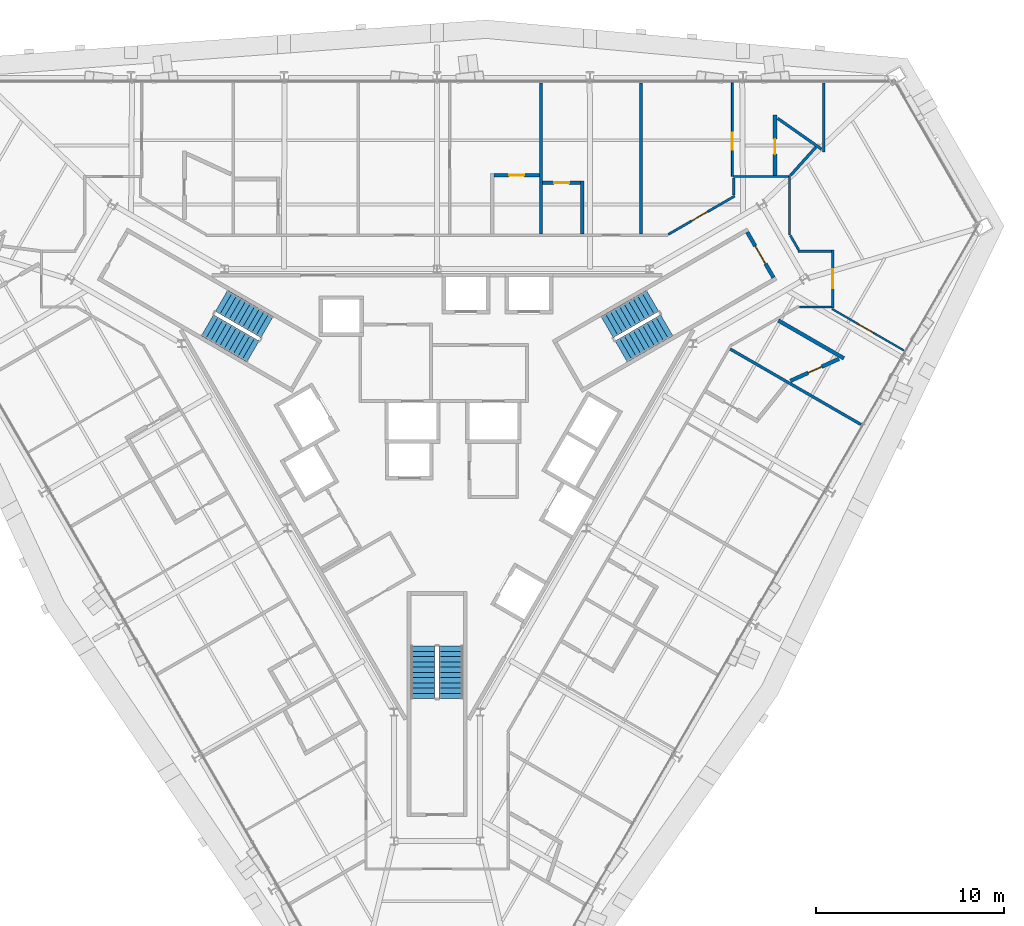
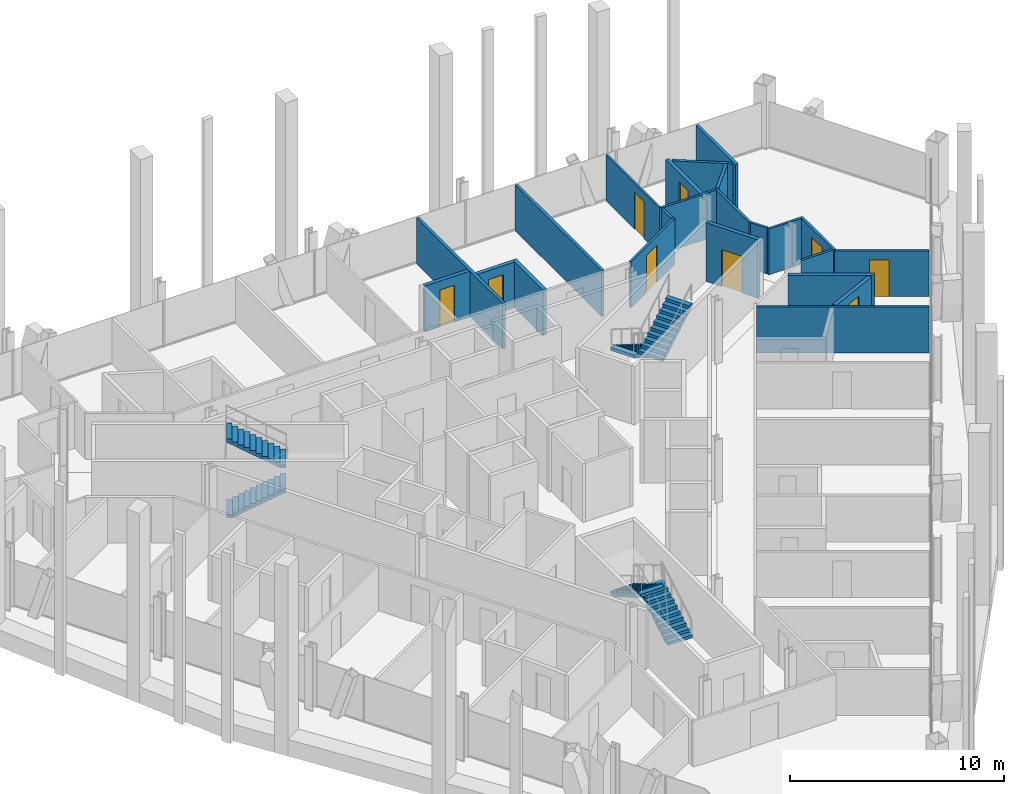
# One storey, part 17 of 19: 23 walls, 9 doors, 6 stair flights, 9 openings, 3 elements without a shape of their own.
"""IFC4 building model written with IfcOpenShell, lengths in metres."""

from ifc_helpers import new_model, si_unit, direction, frame, frame_2d, origin, place, context, subcontext, project, spatial, polyline, rectangle, outline, extrude, material, layer, layer_set, type_object, element, fill, aggregate, save


model = new_model("IFC4")

# Units and contexts
model_context = context("Model", 3, precision=1e-05, world=origin(), true_north=direction((0.0, 1.0)))
body_context = subcontext(model_context, "Body", "Model", "MODEL_VIEW")
ifc_project = project(units=[si_unit("LENGTHUNIT", "METRE"), si_unit("AREAUNIT", "SQUARE_METRE"), si_unit("VOLUMEUNIT", "CUBIC_METRE"), si_unit("PLANEANGLEUNIT", "RADIAN"), si_unit("MASSUNIT", "GRAM", prefix="KILO")], contexts=[model_context])

# Site, building, storey
site_placement = place(None, origin())
site = spatial("IfcSite", under=ifc_project, at=site_placement, CompositionType="ELEMENT")
building_placement = place(site_placement, origin())
building = spatial("IfcBuilding", under=site, at=building_placement, Name="Verrane Prism Tower", CompositionType="ELEMENT")
storey_placement = place(building_placement, frame((0.0, 0.0, 121.60009765625)))
storey = spatial("IfcBuildingStorey", under=building, at=storey_placement, Name="L29", CompositionType="ELEMENT", Elevation=121.60009765625)

# Wall, opening, door
ifc_material_1 = material(Name="Concrete C40/50", Category="concrete")
ifc_layer_1 = layer(ifc_material_1, 0.199951171875)
ifc_layer_set_1 = layer_set([ifc_layer_1], Name="CW-200 stair core wall concrete C40/50 3 h")
wall_type_1 = type_object("IfcWallType", Name="CW-200 stair core wall concrete C40/50 3 h", PredefinedType="PARTITIONING", material=ifc_layer_set_1)
wall_1_placement = place(storey_placement, frame((17.933837890625, 8.737548828125, 0.0), z_axis=(0.0, 0.0, 1.0), x_axis=(-0.49998411664, 0.866034573852, 0.0)))
wall_1 = element("IfcWall", 1, at=wall_1_placement, inside=storey, type_object=wall_type_1, Name="Stair 1 enclosure wall", PredefinedType="PARTITIONING", context=body_context, shape_type="SweptSolid", body=[
    extrude(rectangle(XDim=2.7998046875, YDim=0.199951171875, at=frame_2d((1.39990234375, 0.0))), origin(), (0.0, 0.0, 1.0), 3.349853515625),
])
opening_1_placement = place(wall_1_placement, frame((0.849853515625, 0.0, 0.0)))
opening_1 = element("IfcOpeningElement", 2, at=opening_1_placement, cuts=wall_1, Name="Opening D29500", PredefinedType="OPENING", context=body_context, shape_type="SweptSolid", body=[
    extrude(rectangle(XDim=1.10009765625, YDim=2.10009765625, at=frame_2d((0.550048828125, 1.050048828125))), frame((0.0, 0.10986328125, 0.0), z_axis=(0.0, -1.0, 0.0), x_axis=(1.0, 0.0, 0.0)), (0.0, 0.0, 1.0), 0.219970703125),
])
ifc_material_2 = material(Name="Timber veneered door leaf", Category="wood")
door_type_1 = type_object("IfcDoorType", Name="DR-1100x2100 FD90 single leaf stair", OperationType="NOTDEFINED", PredefinedType="DOOR", material=ifc_material_2)
door_1_placement = place(opening_1_placement, origin())
door_1 = element("IfcDoor", 3, at=door_1_placement, inside=storey, type_object=door_type_1, Name="Stair 1 door", OperationType="SINGLE_SWING_LEFT", OverallHeight=2.10009765625, OverallWidth=1.10009765625, PredefinedType="DOOR", context=body_context, shape_type="SweptSolid", body=[
    extrude(rectangle(XDim=1.10009765625, YDim=2.10009765625, at=frame_2d((0.550048828125, 1.050048828125))), frame((0.0, 0.02490234375, 0.0), z_axis=(0.0, -1.0, 0.0), x_axis=(1.0, 0.0, 0.0)), (0.0, 0.0, 1.0), 0.050048828125),
])
fill(opening_1, door_1)

ifc_material_3 = material(Name="Gypsum board partition", Category="other")
ifc_layer_2 = layer(ifc_material_3, 0.10009765625)
ifc_layer_set_2 = layer_set([ifc_layer_2], Name="PW-100 room partition")
wall_type_2 = type_object("IfcWallType", Name="PW-100 room partition", PredefinedType="PARTITIONING", material=ifc_layer_set_2)
wall_2_placement = place(storey_placement, frame((15.740966796875, 19.114990234375, 0.0), z_axis=(0.0, 0.0, 1.0), x_axis=(0.0, -1.0, 0.0)))
wall_2 = element("IfcWall", 4, at=wall_2_placement, inside=storey, type_object=wall_type_2, Name="Room partition 066", PredefinedType="PARTITIONING", context=body_context, shape_type="SweptSolid", body=[
    extrude(rectangle(XDim=4.98486328125, YDim=0.10009765625, at=frame_2d((2.492431640625, 0.0))), origin(), (0.0, 0.0, 1.0), 2.61279296875),
])
opening_2_placement = place(wall_2_placement, frame((2.65087890625, 0.0, 0.0)))
opening_2 = element("IfcOpeningElement", 5, at=opening_2_placement, cuts=wall_2, Name="Opening D29002", PredefinedType="OPENING", context=body_context, shape_type="SweptSolid", body=[
    extrude(rectangle(XDim=0.89990234375, YDim=2.10009765625, at=frame_2d((0.449951171875, 1.050048828125))), frame((0.0, 0.06005859375, 0.0), z_axis=(0.0, -1.0, 0.0), x_axis=(1.0, 0.0, 0.0)), (0.0, 0.0, 1.0), 0.1201171875),
])
ifc_material_4 = material(Name="Timber veneered door leaf", Category="wood")
door_type_2 = type_object("IfcDoorType", Name="DR-900x2100 single leaf inner", OperationType="NOTDEFINED", PredefinedType="DOOR", material=ifc_material_4)
door_2_placement = place(opening_2_placement, origin())
door_2 = element("IfcDoor", 6, at=door_2_placement, inside=storey, type_object=door_type_2, Name="Suite Living Room door", OperationType="SINGLE_SWING_LEFT", OverallHeight=2.10009765625, OverallWidth=0.89990234375, PredefinedType="DOOR", context=body_context, shape_type="SweptSolid", body=[
    extrude(rectangle(XDim=0.89990234375, YDim=2.10009765625, at=frame_2d((0.449951171875, 1.050048828125))), frame((0.0, 0.02490234375, 0.0), z_axis=(0.0, -1.0, 0.0), x_axis=(1.0, 0.0, 0.0)), (0.0, 0.0, 1.0), 0.050048828125),
])
fill(opening_2, door_2)

wall_3_placement = place(storey_placement, frame((24.8779296875, 4.85986328125, 0.0), z_axis=(0.0, 0.0, 1.0), x_axis=(-0.866005058873, 0.500035236765, 0.0)))
wall_3 = element("IfcWall", 7, at=wall_3_placement, inside=storey, type_object=wall_type_2, Name="Room partition 080", PredefinedType="PARTITIONING", context=body_context, shape_type="SweptSolid", body=[
    extrude(rectangle(XDim=4.414306640625, YDim=0.10009765625, at=frame_2d((2.20703125, 0.0))), origin(), (0.0, 0.0, 1.0), 2.61279296875),
])
opening_3_placement = place(wall_3_placement, frame((1.875732421875, 0.0, 0.0)))
opening_3 = element("IfcOpeningElement", 8, at=opening_3_placement, cuts=wall_3, Name="Opening D29039", PredefinedType="OPENING", context=body_context, shape_type="SweptSolid", body=[
    extrude(rectangle(XDim=0.89990234375, YDim=2.10009765625, at=frame_2d((0.449951171875, 1.050048828125))), frame((0.0, 0.06005859375, 0.0), z_axis=(0.0, -1.0, 0.0), x_axis=(1.0, 0.0, 0.0)), (0.0, 0.0, 1.0), 0.1201171875),
])
door_3_placement = place(opening_3_placement, origin())
door_3 = element("IfcDoor", 9, at=door_3_placement, inside=storey, type_object=door_type_2, Name="Suite Living Room door", OperationType="SINGLE_SWING_RIGHT", OverallHeight=2.10009765625, OverallWidth=0.89990234375, PredefinedType="DOOR", context=body_context, shape_type="SweptSolid", body=[
    extrude(rectangle(XDim=0.89990234375, YDim=2.10009765625, at=frame_2d((0.449951171875, 1.050048828125))), frame((0.0, 0.02490234375, 0.0), z_axis=(0.0, -1.0, 0.0), x_axis=(1.0, 0.0, 0.0)), (0.0, 0.0, 1.0), 0.050048828125),
])
fill(opening_3, door_3)

ifc_material_5 = material(Name="Gypsum board partition", Category="other")
ifc_layer_3 = layer(ifc_material_5, 0.125)
ifc_layer_set_3 = layer_set([ifc_layer_3], Name="PW-125 corridor wall 1 h")
wall_type_3 = type_object("IfcWallType", Name="PW-125 corridor wall 1 h", PredefinedType="PARTITIONING", material=ifc_layer_set_3)
wall_4_placement = place(storey_placement, frame((12.32666015625, 11.04248046875, 0.0), z_axis=(0.0, 0.0, 1.0), x_axis=(0.866070231021, 0.499922348909, 0.0)))
wall_4 = element("IfcWall", 10, at=wall_4_placement, inside=storey, type_object=wall_type_3, Name="Corridor wall 061", PredefinedType="PARTITIONING", context=body_context, shape_type="SweptSolid", body=[
    extrude(rectangle(XDim=4.088134765625, YDim=0.125, at=frame_2d((2.0439453125, 0.0))), origin(), (0.0, 0.0, 1.0), 2.61279296875),
])
opening_4_placement = place(wall_4_placement, frame((1.4150390625, 0.0, 0.0)))
opening_4 = element("IfcOpeningElement", 11, at=opening_4_placement, cuts=wall_4, Name="Opening D29001", PredefinedType="OPENING", context=body_context, shape_type="SweptSolid", body=[
    extrude(rectangle(XDim=1.0, YDim=2.10009765625, at=frame_2d((0.5, 1.050048828125))), frame((0.0, 0.072509765625, 0.0), z_axis=(0.0, -1.0, 0.0), x_axis=(1.0, 0.0, 0.0)), (0.0, 0.0, 1.0), 0.14501953125),
])
ifc_material_6 = material(Name="Timber veneered door leaf", Category="wood")
door_type_3 = type_object("IfcDoorType", Name="DR-1000x2100 FD20 single leaf unit", OperationType="NOTDEFINED", PredefinedType="DOOR", material=ifc_material_6)
door_4_placement = place(opening_4_placement, origin())
door_4 = element("IfcDoor", 12, at=door_4_placement, inside=storey, type_object=door_type_3, Name="Suite Living Room door", OperationType="SINGLE_SWING_LEFT", OverallHeight=2.10009765625, OverallWidth=1.0, PredefinedType="DOOR", context=body_context, shape_type="SweptSolid", body=[
    extrude(rectangle(XDim=1.0, YDim=2.10009765625, at=frame_2d((0.5, 1.050048828125))), frame((0.0, 0.02490234375, 0.0), z_axis=(0.0, -1.0, 0.0), x_axis=(1.0, 0.0, 0.0)), (0.0, 0.0, 1.0), 0.050048828125),
])
fill(opening_4, door_4)

# Walls
wall_5_placement = place(storey_placement, frame((15.81298828125, 13.139892578125, 0.0), z_axis=(0.0, 0.0, 1.0), x_axis=(0.0, 1.0, 0.0)))
element("IfcWall", 13, at=wall_5_placement, inside=storey, type_object=wall_type_3, Name="Corridor wall 067", PredefinedType="PARTITIONING", context=body_context, shape_type="SweptSolid", body=[
    extrude(rectangle(XDim=0.922119140625, YDim=0.125, at=frame_2d((0.4609375, 0.0))), origin(), (0.0, 0.0, 1.0), 2.61279296875),
])
wall_6_placement = place(storey_placement, frame((15.79541015625, 14.126953125, 0.0), z_axis=(0.0, 0.0, 1.0), x_axis=(1.0, 0.0, 0.0)))
element("IfcWall", 14, at=wall_6_placement, inside=storey, type_object=wall_type_3, Name="Corridor wall 068", PredefinedType="PARTITIONING", context=body_context, shape_type="SweptSolid", body=[
    extrude(rectangle(XDim=2.926513671875, YDim=0.125, at=frame_2d((1.46337890625, 0.0))), origin(), (0.0, 0.0, 1.0), 2.61279296875),
])
wall_7_placement = place(storey_placement, frame((18.787109375, 10.99755859375, 0.0), z_axis=(0.0, 0.0, 1.0), x_axis=(0.0, 1.0, 0.0)))
element("IfcWall", 15, at=wall_7_placement, inside=storey, type_object=wall_type_3, Name="Corridor wall 074", PredefinedType="PARTITIONING", context=body_context, shape_type="SweptSolid", body=[
    extrude(rectangle(XDim=3.19189453125, YDim=0.125, at=frame_2d((1.595947265625, 0.0))), origin(), (0.0, 0.0, 1.0), 2.61279296875),
])
wall_8_placement = place(storey_placement, frame((18.82958984375, 10.986328125, 0.0), z_axis=(0.0, 0.0, 1.0), x_axis=(0.499881837328, -0.866093614288, 0.0)))
element("IfcWall", 16, at=wall_8_placement, inside=storey, type_object=wall_type_3, Name="Corridor wall 075", PredefinedType="PARTITIONING", context=body_context, shape_type="SweptSolid", body=[
    extrude(rectangle(XDim=0.884033203125, YDim=0.125, at=frame_2d((0.44189453125, 0.0))), origin(), (0.0, 0.0, 1.0), 2.61279296875),
])
wall_9_placement = place(storey_placement, frame((19.30908203125, 7.173095703125, 0.0), z_axis=(0.0, 0.0, 1.0), x_axis=(1.0, 0.0, 0.0)))
element("IfcWall", 17, at=wall_9_placement, inside=storey, type_object=wall_type_3, Name="Corridor wall 077", PredefinedType="PARTITIONING", context=body_context, shape_type="SweptSolid", body=[
    extrude(rectangle(XDim=1.712890625, YDim=0.125, at=frame_2d((0.8564453125, 0.0))), origin(), (0.0, 0.0, 1.0), 2.61279296875),
])
wall_10_placement = place(storey_placement, frame((19.25146484375, 10.14697265625, 0.0), z_axis=(0.0, 0.0, 1.0), x_axis=(1.0, 0.0, 0.0)))
element("IfcWall", 18, at=wall_10_placement, inside=storey, type_object=wall_type_3, Name="Corridor wall 078", PredefinedType="PARTITIONING", context=body_context, shape_type="SweptSolid", body=[
    extrude(rectangle(XDim=1.7705078125, YDim=0.125, at=frame_2d((0.88525390625, 0.0))), origin(), (0.0, 0.0, 1.0), 2.61279296875),
])

# Wall, opening, door
wall_11_placement = place(storey_placement, frame((21.0869140625, 10.20947265625, 0.0), z_axis=(0.0, 0.0, 1.0), x_axis=(0.0, -1.0, 0.0)))
wall_11 = element("IfcWall", 19, at=wall_11_placement, inside=storey, type_object=wall_type_3, Name="Corridor wall 081", PredefinedType="PARTITIONING", context=body_context, shape_type="SweptSolid", body=[
    extrude(rectangle(XDim=3.098876953125, YDim=0.125, at=frame_2d((1.54931640625, 0.0))), origin(), (0.0, 0.0, 1.0), 2.61279296875),
])
opening_5_placement = place(wall_11_placement, frame((1.03662109375, 0.0, 0.0)))
opening_5 = element("IfcOpeningElement", 20, at=opening_5_placement, cuts=wall_11, Name="Opening D29038", PredefinedType="OPENING", context=body_context, shape_type="SweptSolid", body=[
    extrude(rectangle(XDim=1.0, YDim=2.10009765625, at=frame_2d((0.5, 1.050048828125))), frame((0.0, 0.072509765625, 0.0), z_axis=(0.0, -1.0, 0.0), x_axis=(1.0, 0.0, 0.0)), (0.0, 0.0, 1.0), 0.14501953125),
])
door_5_placement = place(opening_5_placement, origin())
door_5 = element("IfcDoor", 21, at=door_5_placement, inside=storey, type_object=door_type_3, Name="Suite Living Room door", OperationType="SINGLE_SWING_LEFT", OverallHeight=2.10009765625, OverallWidth=1.0, PredefinedType="DOOR", context=body_context, shape_type="SweptSolid", body=[
    extrude(rectangle(XDim=1.0, YDim=2.10009765625, at=frame_2d((0.5, 1.050048828125))), frame((0.0, 0.02490234375, 0.0), z_axis=(0.0, -1.0, 0.0), x_axis=(1.0, 0.0, 0.0)), (0.0, 0.0, 1.0), 0.050048828125),
])
fill(opening_5, door_5)

# Walls
ifc_material_7 = material(Name="Gypsum board partition", Category="other")
ifc_layer_4 = layer(ifc_material_7, 0.14990234375)
ifc_layer_set_4 = layer_set([ifc_layer_4], Name="PW-150 demising wall 1 h")
wall_type_4 = type_object("IfcWallType", Name="PW-150 demising wall 1 h", PredefinedType="PARTITIONING", material=ifc_layer_set_4)
for number, where, z_axis, x_axis, name in (
    (22, (5.5380859375, 11.0625, 0.0), (0.0, 0.0, 1.0), (0.0, 1.0, 0.0), "Demising wall 049"),
    (23, (10.8701171875, 11.0625, 0.0), (0.0, 0.0, 1.0), (0.0, 1.0, 0.0), "Demising wall 059"),
):
    element("IfcWall", number, at=place(storey_placement, frame(where, z_axis=z_axis, x_axis=x_axis)), inside=storey, type_object=wall_type_4, Name=name, PredefinedType="PARTITIONING", context=body_context, shape_type="SweptSolid", body=[
        extrude(rectangle(XDim=8.052490234375, YDim=0.14990234375, at=frame_2d((4.0263671875, 0.0))), origin(), (0.0, 0.0, 1.0), 2.61279296875),
    ])
wall_12_placement = place(storey_placement, frame((15.62646484375, 4.93115234375, 0.0), z_axis=(0.0, 0.0, 1.0), x_axis=(0.866059795523, -0.49994042703, 0.0)))
element("IfcWall", 24, at=wall_12_placement, inside=storey, type_object=wall_type_4, Name="Demising wall 064", PredefinedType="PARTITIONING", context=body_context, shape_type="SweptSolid", body=[
    extrude(rectangle(XDim=8.04736328125, YDim=0.14990234375, at=frame_2d((4.023681640625, 0.0))), origin(), (0.0, 0.0, 1.0), 2.61279296875),
])
wall_13_placement = place(storey_placement, frame((18.1552734375, 17.2265625, 0.0), z_axis=(0.0, 0.0, 1.0), x_axis=(0.818464329231, -0.574557344202, 0.0)))
element("IfcWall", 25, at=wall_13_placement, inside=storey, type_object=wall_type_4, Name="Demising wall 071", PredefinedType="PARTITIONING", context=body_context, shape_type="SweptSolid", body=[
    extrude(rectangle(XDim=2.856689453125, YDim=0.14990234375, at=frame_2d((1.42822265625, 0.0))), origin(), (0.0, 0.0, 1.0), 2.61279296875),
])
wall_14_placement = place(storey_placement, frame((18.845458984375, 14.192138671875, 0.0), z_axis=(0.0, 0.0, 1.0), x_axis=(0.66770692524, 0.744424248655, 0.0)))
element("IfcWall", 26, at=wall_14_placement, inside=storey, type_object=wall_type_4, Name="Demising wall 076", PredefinedType="PARTITIONING", context=body_context, shape_type="SweptSolid", body=[
    extrude(rectangle(XDim=2.017578125, YDim=0.14990234375, at=frame_2d((1.0087890625, 0.0))), origin(), (0.0, 0.0, 1.0), 2.61279296875),
])
wall_15_placement = place(storey_placement, frame((20.612060546875, 15.427001953125, 0.0), z_axis=(0.0, 0.0, 1.0), x_axis=(0.0, 1.0, 0.0)))
element("IfcWall", 27, at=wall_15_placement, inside=storey, type_object=wall_type_4, Name="Demising wall 079", PredefinedType="PARTITIONING", context=body_context, shape_type="SweptSolid", body=[
    extrude(rectangle(XDim=3.68798828125, YDim=0.14990234375, at=frame_2d((1.843994140625, 0.0))), origin(), (0.0, 0.0, 1.0), 2.61279296875),
])

# Wall, opening, door
ifc_material_8 = material(Name="Gypsum board partition", Category="other")
ifc_layer_5 = layer(ifc_material_8, 0.199951171875)
ifc_layer_set_5 = layer_set([ifc_layer_5], Name="PW-200 plumbing wall")
wall_type_5 = type_object("IfcWallType", Name="PW-200 plumbing wall", PredefinedType="PARTITIONING", material=ifc_layer_set_5)
wall_16_placement = place(storey_placement, frame((5.462890625, 14.199951171875, 0.0), z_axis=(0.0, 0.0, 1.0), x_axis=(-1.0, 0.0, 0.0)))
wall_16 = element("IfcWall", 28, at=wall_16_placement, inside=storey, type_object=wall_type_5, Name="Plumbing wall 043", PredefinedType="PARTITIONING", context=body_context, shape_type="SweptSolid", body=[
    extrude(rectangle(XDim=2.4248046875, YDim=0.199951171875, at=frame_2d((1.21240234375, 0.0))), origin(), (0.0, 0.0, 1.0), 2.61279296875),
])
opening_6_placement = place(wall_16_placement, frame((0.824951171875, 0.0, 0.0)))
opening_6 = element("IfcOpeningElement", 29, at=opening_6_placement, cuts=wall_16, Name="Opening D29008", PredefinedType="OPENING", context=body_context, shape_type="SweptSolid", body=[
    extrude(rectangle(XDim=0.800048828125, YDim=2.10009765625, at=frame_2d((0.39990234375, 1.050048828125))), frame((0.0, 0.10986328125, 0.0), z_axis=(0.0, -1.0, 0.0), x_axis=(1.0, 0.0, 0.0)), (0.0, 0.0, 1.0), 0.219970703125),
])
ifc_material_9 = material(Name="Timber veneered door leaf", Category="wood")
door_type_4 = type_object("IfcDoorType", Name="DR-800x2100 single leaf bath", OperationType="NOTDEFINED", PredefinedType="DOOR", material=ifc_material_9)
door_6_placement = place(opening_6_placement, origin())
door_6 = element("IfcDoor", 30, at=door_6_placement, inside=storey, type_object=door_type_4, Name="En-Suite door", OperationType="SINGLE_SWING_LEFT", OverallHeight=2.10009765625, OverallWidth=0.800048828125, PredefinedType="DOOR", context=body_context, shape_type="SweptSolid", body=[
    extrude(rectangle(XDim=0.800048828125, YDim=2.10009765625, at=frame_2d((0.39990234375, 1.050048828125))), frame((0.0, 0.02490234375, 0.0), z_axis=(0.0, -1.0, 0.0), x_axis=(1.0, 0.0, 0.0)), (0.0, 0.0, 1.0), 0.050048828125),
])
fill(opening_6, door_6)

wall_17_placement = place(storey_placement, frame((7.637939453125, 13.800048828125, 0.0), z_axis=(0.0, 0.0, 1.0), x_axis=(-1.0, 0.0, 0.0)))
wall_17 = element("IfcWall", 31, at=wall_17_placement, inside=storey, type_object=wall_type_5, Name="Plumbing wall 050", PredefinedType="PARTITIONING", context=body_context, shape_type="SweptSolid", body=[
    extrude(rectangle(XDim=2.02490234375, YDim=0.199951171875, at=frame_2d((1.012451171875, 0.0))), origin(), (0.0, 0.0, 1.0), 2.61279296875),
])
opening_7_placement = place(wall_17_placement, frame((0.60009765625, 0.0, 0.0)))
opening_7 = element("IfcOpeningElement", 32, at=opening_7_placement, cuts=wall_17, Name="Opening D29005", PredefinedType="OPENING", context=body_context, shape_type="SweptSolid", body=[
    extrude(rectangle(XDim=0.800048828125, YDim=2.10009765625, at=frame_2d((0.39990234375, 1.050048828125))), frame((0.0, 0.10986328125, 0.0), z_axis=(0.0, -1.0, 0.0), x_axis=(1.0, 0.0, 0.0)), (0.0, 0.0, 1.0), 0.219970703125),
])
door_7_placement = place(opening_7_placement, origin())
door_7 = element("IfcDoor", 33, at=door_7_placement, inside=storey, type_object=door_type_4, Name="En-Suite door", OperationType="SINGLE_SWING_RIGHT", OverallHeight=2.10009765625, OverallWidth=0.800048828125, PredefinedType="DOOR", context=body_context, shape_type="SweptSolid", body=[
    extrude(rectangle(XDim=0.800048828125, YDim=2.10009765625, at=frame_2d((0.39990234375, 1.050048828125))), frame((0.0, 0.02490234375, 0.0), z_axis=(0.0, -1.0, 0.0), x_axis=(1.0, 0.0, 0.0)), (0.0, 0.0, 1.0), 0.050048828125),
])
fill(opening_7, door_7)

# Wall
wall_18_placement = place(storey_placement, frame((7.738037109375, 11.0625, 0.0), z_axis=(0.0, 0.0, 1.0), x_axis=(0.0, 1.0, 0.0)))
element("IfcWall", 34, at=wall_18_placement, inside=storey, type_object=wall_type_5, Name="Plumbing wall 054", PredefinedType="PARTITIONING", context=body_context, shape_type="SweptSolid", body=[
    extrude(rectangle(XDim=2.83740234375, YDim=0.199951171875, at=frame_2d((1.418701171875, 0.0))), origin(), (0.0, 0.0, 1.0), 2.61279296875),
])

# Wall, opening, door
wall_19_placement = place(storey_placement, frame((18.011962890625, 17.402099609375, 0.0), z_axis=(0.0, 0.0, 1.0), x_axis=(0.0, -1.0, 0.0)))
wall_19 = element("IfcWall", 35, at=wall_19_placement, inside=storey, type_object=wall_type_5, Name="Plumbing wall 070", PredefinedType="PARTITIONING", context=body_context, shape_type="SweptSolid", body=[
    extrude(rectangle(XDim=3.212646484375, YDim=0.199951171875, at=frame_2d((1.6064453125, 0.0))), origin(), (0.0, 0.0, 1.0), 2.61279296875),
])
opening_8_placement = place(wall_19_placement, frame((1.27490234375, 0.0, 0.0)))
opening_8 = element("IfcOpeningElement", 36, at=opening_8_placement, cuts=wall_19, Name="Opening D29003", PredefinedType="OPENING", context=body_context, shape_type="SweptSolid", body=[
    extrude(rectangle(XDim=0.800048828125, YDim=2.10009765625, at=frame_2d((0.39990234375, 1.050048828125))), frame((0.0, 0.10986328125, 0.0), z_axis=(0.0, -1.0, 0.0), x_axis=(1.0, 0.0, 0.0)), (0.0, 0.0, 1.0), 0.219970703125),
])
door_8_placement = place(opening_8_placement, origin())
door_8 = element("IfcDoor", 37, at=door_8_placement, inside=storey, type_object=door_type_4, Name="En-Suite door", OperationType="SINGLE_SWING_RIGHT", OverallHeight=2.10009765625, OverallWidth=0.800048828125, PredefinedType="DOOR", context=body_context, shape_type="SweptSolid", body=[
    extrude(rectangle(XDim=0.800048828125, YDim=2.10009765625, at=frame_2d((0.39990234375, 1.050048828125))), frame((0.0, 0.02490234375, 0.0), z_axis=(0.0, -1.0, 0.0), x_axis=(1.0, 0.0, 0.0)), (0.0, 0.0, 1.0), 0.050048828125),
])
fill(opening_8, door_8)

# Wall
wall_20_placement = place(storey_placement, frame((18.196533203125, 6.449951171875, 0.0), z_axis=(0.0, 0.0, 1.0), x_axis=(0.866031230052, -0.499989908473, 0.0)))
element("IfcWall", 38, at=wall_20_placement, inside=storey, type_object=wall_type_5, Name="Plumbing wall 072", PredefinedType="PARTITIONING", context=body_context, shape_type="SweptSolid", body=[
    extrude(rectangle(XDim=4.02978515625, YDim=0.199951171875, at=frame_2d((2.014892578125, 0.0))), origin(), (0.0, 0.0, 1.0), 2.61279296875),
])

# Wall, opening, door
wall_21_placement = place(storey_placement, frame((18.83349609375, 3.233642578125, 0.0), z_axis=(0.0, 0.0, 1.0), x_axis=(0.911141723421, 0.412093144618, 0.0)))
wall_21 = element("IfcWall", 39, at=wall_21_placement, inside=storey, type_object=wall_type_5, Name="Plumbing wall 073", PredefinedType="PARTITIONING", context=body_context, shape_type="SweptSolid", body=[
    extrude(rectangle(XDim=2.84130859375, YDim=0.199951171875, at=frame_2d((1.420654296875, 0.0))), origin(), (0.0, 0.0, 1.0), 2.61279296875),
])
opening_9_placement = place(wall_21_placement, frame((1.035888671875, 0.0, 0.0)))
opening_9 = element("IfcOpeningElement", 40, at=opening_9_placement, cuts=wall_21, Name="Opening D29040", PredefinedType="OPENING", context=body_context, shape_type="SweptSolid", body=[
    extrude(rectangle(XDim=0.800048828125, YDim=2.10009765625, at=frame_2d((0.39990234375, 1.050048828125))), frame((0.0, 0.10986328125, 0.0), z_axis=(0.0, -1.0, 0.0), x_axis=(1.0, 0.0, 0.0)), (0.0, 0.0, 1.0), 0.219970703125),
])
door_9_placement = place(opening_9_placement, origin())
door_9 = element("IfcDoor", 41, at=door_9_placement, inside=storey, type_object=door_type_4, Name="En-Suite door", OperationType="SINGLE_SWING_RIGHT", OverallHeight=2.10009765625, OverallWidth=0.800048828125, PredefinedType="DOOR", context=body_context, shape_type="SweptSolid", body=[
    extrude(rectangle(XDim=0.800048828125, YDim=2.10009765625, at=frame_2d((0.39990234375, 1.050048828125))), frame((0.0, 0.02490234375, 0.0), z_axis=(0.0, -1.0, 0.0), x_axis=(1.0, 0.0, 0.0)), (0.0, 0.0, 1.0), 0.050048828125),
])
fill(opening_9, door_9)

# Stair, stair flights
ifc_material_10 = material(Name="Concrete C40/50", Category="concrete")
stair_type = type_object("IfcStairType", Name="Exit stair 1300 dog-leg precast concrete C40/50", PredefinedType="HALF_TURN_STAIR", material=ifc_material_10)
stair_1_placement = place(storey_placement, origin())
stair_1 = element("IfcStair", 42, at=stair_1_placement, inside=storey, type_object=stair_type, Name="Stair 1 L29", PredefinedType="HALF_TURN_STAIR")
ifc_material_11 = material(Name="Concrete C40/50", Category="concrete")
stair_flight_type = type_object("IfcStairFlightType", Name="Stair flight 1300 precast concrete C40/50", PredefinedType="STRAIGHT", material=ifc_material_11)
stair_flight_1_placement = place(storey_placement, frame((11.489501953125, 7.49951171875, 0.0), z_axis=(0.0, 0.0, 1.0), x_axis=(-0.866025403784, -0.5, 0.0)))
stair_flight_1 = element("IfcStairFlight", 43, at=stair_flight_1_placement, type_object=stair_flight_type, Name="Stair 1 flight 1", NumberOfRisers=11, NumberOfTreads=10, PredefinedType="STRAIGHT", RiserHeight=0.163636364, TreadLength=0.28, context=body_context, shape_type="SweptSolid", body=[
    extrude(outline(polyline([(0.0, 0.0), (0.0, 0.16357421875), (0.280029296875, 0.16357421875), (0.280029296875, 0.327392578125), (0.56005859375, 0.327392578125), (0.56005859375, 0.490966796875), (0.840087890625, 0.490966796875), (0.840087890625, 0.654541015625), (1.1201171875, 0.654541015625), (1.1201171875, 0.818115234375), (1.39990234375, 0.818115234375), (1.39990234375, 0.98193359375), (1.679931640625, 0.98193359375), (1.679931640625, 1.1455078125), (1.9599609375, 1.1455078125), (1.9599609375, 1.30908203125), (2.239990234375, 1.30908203125), (2.239990234375, 1.47265625), (2.52001953125, 1.47265625), (2.52001953125, 1.636474609375), (2.800048828125, 1.636474609375), (2.800048828125, 1.800048828125), (2.800048828125, 1.462646484375), (0.297119140625, 0.0), (0.0, 0.0)])), frame((0.0, 0.64990234375, 0.0), z_axis=(0.0, -1.0, 0.0), x_axis=(1.0, 0.0, 0.0)), (0.0, 0.0, 1.0), 1.300048828125),
])
stair_flight_2_placement = place(storey_placement, frame((9.814697265625, 4.800537109375, 1.7998046875), z_axis=(0.0, 0.0, 1.0), x_axis=(0.866025403784, 0.5, 0.0)))
stair_flight_2 = element("IfcStairFlight", 44, at=stair_flight_2_placement, type_object=stair_flight_type, Name="Stair 1 flight 2", NumberOfRisers=11, NumberOfTreads=10, PredefinedType="STRAIGHT", RiserHeight=0.163636364, TreadLength=0.28, context=body_context, shape_type="SweptSolid", body=[
    extrude(outline(polyline([(0.0, 0.0), (0.0, 0.16357421875), (0.280029296875, 0.16357421875), (0.280029296875, 0.327392578125), (0.56005859375, 0.327392578125), (0.56005859375, 0.490966796875), (0.840087890625, 0.490966796875), (0.840087890625, 0.654541015625), (1.1201171875, 0.654541015625), (1.1201171875, 0.818115234375), (1.39990234375, 0.818115234375), (1.39990234375, 0.98193359375), (1.679931640625, 0.98193359375), (1.679931640625, 1.1455078125), (1.9599609375, 1.1455078125), (1.9599609375, 1.30908203125), (2.239990234375, 1.30908203125), (2.239990234375, 1.47265625), (2.52001953125, 1.47265625), (2.52001953125, 1.636474609375), (2.800048828125, 1.636474609375), (2.800048828125, 1.800048828125), (2.800048828125, 1.462646484375), (0.297119140625, 0.0), (0.0, 0.0)])), frame((0.0, 0.64990234375, 0.0), z_axis=(0.0, -1.0, 0.0), x_axis=(1.0, 0.0, 0.0)), (0.0, 0.0, 1.0), 1.300048828125),
])
aggregate(stair_1, [stair_flight_1, stair_flight_2])

stair_2_placement = place(storey_placement, origin())
stair_2 = element("IfcStair", 45, at=stair_2_placement, inside=storey, type_object=stair_type, Name="Stair 2 L29", PredefinedType="HALF_TURN_STAIR")
stair_flight_3_placement = place(storey_placement, frame((-12.239501953125, 6.200439453125, 0.0), z_axis=(0.0, 0.0, 1.0), x_axis=(0.866025403784, -0.5, 0.0)))
stair_flight_3 = element("IfcStairFlight", 46, at=stair_flight_3_placement, type_object=stair_flight_type, Name="Stair 2 flight 1", NumberOfRisers=11, NumberOfTreads=10, PredefinedType="STRAIGHT", RiserHeight=0.163636364, TreadLength=0.28, context=body_context, shape_type="SweptSolid", body=[
    extrude(outline(polyline([(0.0, 0.0), (0.0, 0.16357421875), (0.280029296875, 0.16357421875), (0.280029296875, 0.327392578125), (0.56005859375, 0.327392578125), (0.56005859375, 0.490966796875), (0.840087890625, 0.490966796875), (0.840087890625, 0.654541015625), (1.1201171875, 0.654541015625), (1.1201171875, 0.818115234375), (1.39990234375, 0.818115234375), (1.39990234375, 0.98193359375), (1.679931640625, 0.98193359375), (1.679931640625, 1.1455078125), (1.9599609375, 1.1455078125), (1.9599609375, 1.30908203125), (2.239990234375, 1.30908203125), (2.239990234375, 1.47265625), (2.52001953125, 1.47265625), (2.52001953125, 1.636474609375), (2.800048828125, 1.636474609375), (2.800048828125, 1.800048828125), (2.800048828125, 1.462646484375), (0.297119140625, 0.0), (0.0, 0.0)])), frame((0.0, 0.64990234375, 0.0), z_axis=(0.0, -1.0, 0.0), x_axis=(1.0, 0.0, 0.0)), (0.0, 0.0, 1.0), 1.300048828125),
])
stair_flight_4_placement = place(storey_placement, frame((-9.064697265625, 6.099609375, 1.7998046875), z_axis=(0.0, 0.0, 1.0), x_axis=(-0.866025403784, 0.5, 0.0)))
stair_flight_4 = element("IfcStairFlight", 47, at=stair_flight_4_placement, type_object=stair_flight_type, Name="Stair 2 flight 2", NumberOfRisers=11, NumberOfTreads=10, PredefinedType="STRAIGHT", RiserHeight=0.163636364, TreadLength=0.28, context=body_context, shape_type="SweptSolid", body=[
    extrude(outline(polyline([(0.0, 0.0), (0.0, 0.16357421875), (0.280029296875, 0.16357421875), (0.280029296875, 0.327392578125), (0.56005859375, 0.327392578125), (0.56005859375, 0.490966796875), (0.840087890625, 0.490966796875), (0.840087890625, 0.654541015625), (1.1201171875, 0.654541015625), (1.1201171875, 0.818115234375), (1.39990234375, 0.818115234375), (1.39990234375, 0.98193359375), (1.679931640625, 0.98193359375), (1.679931640625, 1.1455078125), (1.9599609375, 1.1455078125), (1.9599609375, 1.30908203125), (2.239990234375, 1.30908203125), (2.239990234375, 1.47265625), (2.52001953125, 1.47265625), (2.52001953125, 1.636474609375), (2.800048828125, 1.636474609375), (2.800048828125, 1.800048828125), (2.800048828125, 1.462646484375), (0.297119140625, 0.0), (0.0, 0.0)])), frame((0.0, 0.64990234375, 0.0), z_axis=(0.0, -1.0, 0.0), x_axis=(1.0, 0.0, 0.0)), (0.0, 0.0, 1.0), 1.300048828125),
])
aggregate(stair_2, [stair_flight_3, stair_flight_4])

stair_3_placement = place(storey_placement, origin())
stair_3 = element("IfcStair", 48, at=stair_3_placement, inside=storey, type_object=stair_type, Name="Stair 3 L29", PredefinedType="HALF_TURN_STAIR")
stair_flight_5_placement = place(storey_placement, frame((0.75, -13.699951171875, 0.0), z_axis=(0.0, 0.0, 1.0), x_axis=(0.0, 1.0, 0.0)))
stair_flight_5 = element("IfcStairFlight", 49, at=stair_flight_5_placement, type_object=stair_flight_type, Name="Stair 3 flight 1", NumberOfRisers=11, NumberOfTreads=10, PredefinedType="STRAIGHT", RiserHeight=0.163636364, TreadLength=0.28, context=body_context, shape_type="SweptSolid", body=[
    extrude(outline(polyline([(0.0, 0.0), (0.0, 0.16357421875), (0.280029296875, 0.16357421875), (0.280029296875, 0.327392578125), (0.56005859375, 0.327392578125), (0.56005859375, 0.490966796875), (0.840087890625, 0.490966796875), (0.840087890625, 0.654541015625), (1.1201171875, 0.654541015625), (1.1201171875, 0.818115234375), (1.39990234375, 0.818115234375), (1.39990234375, 0.98193359375), (1.679931640625, 0.98193359375), (1.679931640625, 1.1455078125), (1.9599609375, 1.1455078125), (1.9599609375, 1.30908203125), (2.239990234375, 1.30908203125), (2.239990234375, 1.47265625), (2.52001953125, 1.47265625), (2.52001953125, 1.636474609375), (2.800048828125, 1.636474609375), (2.800048828125, 1.800048828125), (2.800048828125, 1.462646484375), (0.297119140625, 0.0), (0.0, 0.0)])), frame((0.0, 0.64990234375, 0.0), z_axis=(0.0, -1.0, 0.0), x_axis=(1.0, 0.0, 0.0)), (0.0, 0.0, 1.0), 1.300048828125),
])
stair_flight_6_placement = place(storey_placement, frame((-0.75, -10.89990234375, 1.7998046875), z_axis=(0.0, 0.0, 1.0), x_axis=(0.0, -1.0, 0.0)))
stair_flight_6 = element("IfcStairFlight", 50, at=stair_flight_6_placement, type_object=stair_flight_type, Name="Stair 3 flight 2", NumberOfRisers=11, NumberOfTreads=10, PredefinedType="STRAIGHT", RiserHeight=0.163636364, TreadLength=0.28, context=body_context, shape_type="SweptSolid", body=[
    extrude(outline(polyline([(0.0, 0.0), (0.0, 0.16357421875), (0.280029296875, 0.16357421875), (0.280029296875, 0.327392578125), (0.56005859375, 0.327392578125), (0.56005859375, 0.490966796875), (0.840087890625, 0.490966796875), (0.840087890625, 0.654541015625), (1.1201171875, 0.654541015625), (1.1201171875, 0.818115234375), (1.39990234375, 0.818115234375), (1.39990234375, 0.98193359375), (1.679931640625, 0.98193359375), (1.679931640625, 1.1455078125), (1.9599609375, 1.1455078125), (1.9599609375, 1.30908203125), (2.239990234375, 1.30908203125), (2.239990234375, 1.47265625), (2.52001953125, 1.47265625), (2.52001953125, 1.636474609375), (2.800048828125, 1.636474609375), (2.800048828125, 1.800048828125), (2.800048828125, 1.462646484375), (0.297119140625, 0.0), (0.0, 0.0)])), frame((0.0, 0.64990234375, 0.0), z_axis=(0.0, -1.0, 0.0), x_axis=(1.0, 0.0, 0.0)), (0.0, 0.0, 1.0), 1.300048828125),
])
aggregate(stair_3, [stair_flight_5, stair_flight_6])

save(model, "model.ifc")
